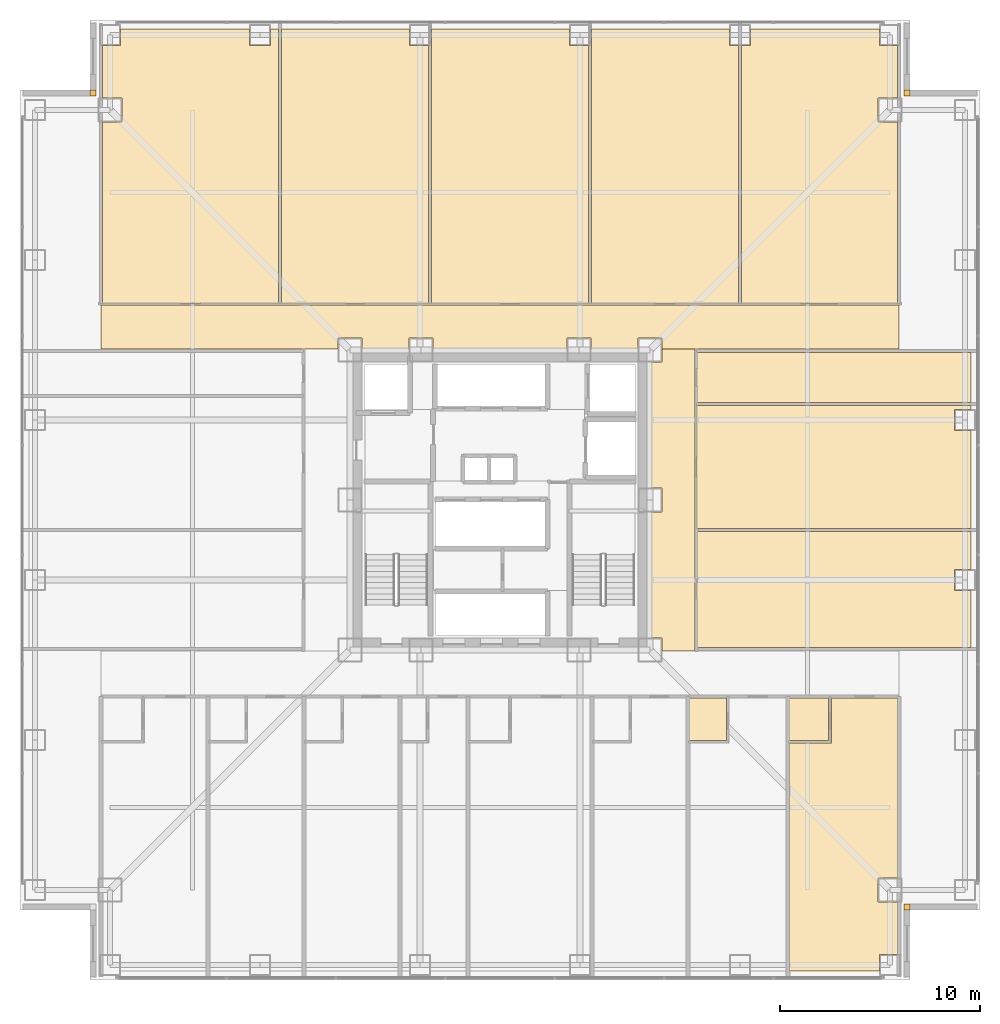
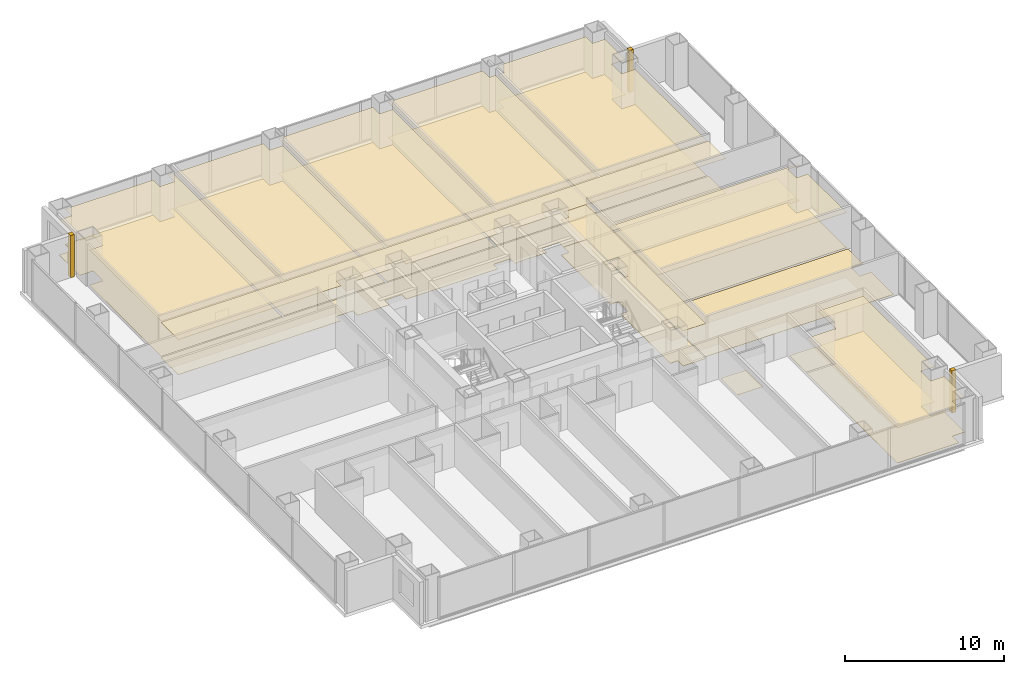
# One storey, part 20 of 20: 25 coverings.
"""IFC4 building model written with IfcOpenShell, lengths in metres."""

from ifc_helpers import new_model, si_unit, direction, frame, origin, place, context, subcontext, project, spatial, polyline, outline, extrude, material, layer, layer_set, type_object, element, save


model = new_model("IFC4")

# Units and contexts
model_context = context("Model", 3, precision=1e-05, world=origin(), true_north=direction((0.0, 1.0)))
body_context = subcontext(model_context, "Body", "Model", "MODEL_VIEW")
ifc_project = project(units=[si_unit("LENGTHUNIT", "METRE"), si_unit("AREAUNIT", "SQUARE_METRE"), si_unit("VOLUMEUNIT", "CUBIC_METRE"), si_unit("PLANEANGLEUNIT", "RADIAN"), si_unit("MASSUNIT", "GRAM", prefix="KILO")], contexts=[model_context])

# Site, building, storey
site_placement = place(None, origin())
site = spatial("IfcSite", under=ifc_project, at=site_placement, CompositionType="ELEMENT")
building_placement = place(site_placement, origin())
building = spatial("IfcBuilding", under=site, at=building_placement, Name="Trevonay Congress Spire", CompositionType="ELEMENT")
storey_placement = place(building_placement, frame((0.0, 0.0, 62.0)))
storey = spatial("IfcBuildingStorey", under=building, at=storey_placement, Name="L15", CompositionType="ELEMENT", Elevation=62.0)

# Coverings
ifc_material_1 = material(Name="Acoustic Mineral Fibre Board", Category="gypsum")
ifc_layer_1 = layer(ifc_material_1, 0.02490234375, Name="Acoustic Mineral Fibre Board")
ifc_layer_set_1 = layer_set([ifc_layer_1], Name="Acoustic Mineral Fibre Board")
covering_type_1 = type_object("IfcCoveringType", Name="COV-CEIL-ACOUSTIC", PredefinedType="CEILING", material=ifc_layer_set_1)
covering_1_placement = place(storey_placement, frame((0.0, 0.0, 2.699951171875)))
element("IfcCovering", 1, at=covering_1_placement, inside=storey, type_object=covering_type_1, Name="L15 Hotel Floor Corridor North acoustic suspended ceiling", PredefinedType="CEILING", context=body_context, shape_type="SweptSolid", body=[
    extrude(outline(polyline([(-19.949951171875, 7.550048828125), (-19.949951171875, 9.75), (19.949951171875, 9.75), (19.949951171875, 7.550048828125), (8.110107421875, 7.550048828125), (8.110107421875, 8.110107421875), (6.889892578125, 8.110107421875), (6.889892578125, 7.550048828125), (4.56005859375, 7.550048828125), (4.56005859375, 8.110107421875), (3.340087890625, 8.110107421875), (3.340087890625, 7.550048828125), (-3.340087890625, 7.550048828125), (-3.340087890625, 8.110107421875), (-4.56005859375, 8.110107421875), (-4.56005859375, 7.550048828125), (-6.889892578125, 7.550048828125), (-6.889892578125, 8.110107421875), (-8.110107421875, 8.110107421875), (-8.110107421875, 7.550048828125), (-19.949951171875, 7.550048828125)])), origin(), (0.0, 0.0, 1.0), 0.025146484375),
])
covering_2_placement = place(storey_placement, frame((0.0, 0.0, 2.699951171875)))
element("IfcCovering", 2, at=covering_2_placement, inside=storey, type_object=covering_type_1, Name="L15 Hotel Floor Corridor East acoustic suspended ceiling", PredefinedType="CEILING", context=body_context, shape_type="SweptSolid", body=[
    extrude(outline(polyline([(9.75, -7.550048828125), (8.110107421875, -7.550048828125), (8.110107421875, -6.889892578125), (7.550048828125, -6.889892578125), (7.550048828125, -0.610107421875), (8.110107421875, -0.610107421875), (8.110107421875, 0.610107421875), (7.550048828125, 0.610107421875), (7.550048828125, 6.889892578125), (8.110107421875, 6.889892578125), (8.110107421875, 7.550048828125), (9.75, 7.550048828125), (9.75, -7.550048828125)])), origin(), (0.0, 0.0, 1.0), 0.025146484375),
])
covering_3_placement = place(storey_placement, frame((0.0, 0.0, 2.699951171875)))
element("IfcCovering", 3, at=covering_3_placement, inside=storey, type_object=covering_type_1, Name="L15 Hotel Guest Room acoustic suspended ceiling", PredefinedType="CEILING", context=body_context, shape_type="SweptSolid", body=[
    extrude(outline(polyline([(14.47998046875, -23.550048828125), (14.47998046875, -12.139892578125), (16.570068359375, -12.139892578125), (16.570068359375, -9.909912109375), (19.8701171875, -9.909912109375), (19.8701171875, -18.889892578125), (18.889892578125, -18.889892578125), (18.889892578125, -20.110107421875), (19.8701171875, -20.110107421875), (19.8701171875, -22.715087890625), (18.965087890625, -22.715087890625), (18.965087890625, -23.550048828125), (14.47998046875, -23.550048828125)])), origin(), (0.0, 0.0, 1.0), 0.025146484375),
])
covering_4_placement = place(storey_placement, frame((0.0, 0.0, 2.699951171875)))
element("IfcCovering", 4, at=covering_4_placement, inside=storey, type_object=covering_type_1, Name="L15 Executive Club Co-Working Office 1 acoustic suspended ceiling", PredefinedType="CEILING", context=body_context, shape_type="SweptSolid", body=[
    extrude(outline(polyline([(-11.080078125, 23.550048828125), (-11.080078125, 9.830078125), (-19.8701171875, 9.830078125), (-19.8701171875, 18.889892578125), (-18.889892578125, 18.889892578125), (-18.889892578125, 20.110107421875), (-19.8701171875, 20.110107421875), (-19.8701171875, 22.715087890625), (-18.965087890625, 22.715087890625), (-18.965087890625, 23.550048828125), (-12.534912109375, 23.550048828125), (-12.534912109375, 22.715087890625), (-11.465087890625, 22.715087890625), (-11.465087890625, 23.550048828125), (-11.080078125, 23.550048828125)])), origin(), (0.0, 0.0, 1.0), 0.025146484375),
])
covering_5_placement = place(storey_placement, frame((0.0, 0.0, 2.699951171875)))
element("IfcCovering", 5, at=covering_5_placement, inside=storey, type_object=covering_type_1, Name="L15 Visiting Delegation Office 2 acoustic suspended ceiling", PredefinedType="CEILING", context=body_context, shape_type="SweptSolid", body=[
    extrude(outline(polyline([(-3.580078125, 9.830078125), (-10.919921875, 9.830078125), (-10.919921875, 23.550048828125), (-4.534912109375, 23.550048828125), (-4.534912109375, 22.715087890625), (-3.580078125, 22.715087890625), (-3.580078125, 9.830078125)])), origin(), (0.0, 0.0, 1.0), 0.025146484375),
])
covering_6_placement = place(storey_placement, frame((0.0, 0.0, 2.699951171875)))
element("IfcCovering", 6, at=covering_6_placement, inside=storey, type_object=covering_type_1, Name="L15 Diplomatic Secretariat Office 3 acoustic suspended ceiling", PredefinedType="CEILING", context=body_context, shape_type="SweptSolid", body=[
    extrude(outline(polyline([(4.419921875, 9.830078125), (-3.419921875, 9.830078125), (-3.419921875, 23.550048828125), (3.465087890625, 23.550048828125), (3.465087890625, 22.715087890625), (4.419921875, 22.715087890625), (4.419921875, 9.830078125)])), origin(), (0.0, 0.0, 1.0), 0.025146484375),
])
covering_7_placement = place(storey_placement, frame((0.0, 0.0, 2.699951171875)))
element("IfcCovering", 7, at=covering_7_placement, inside=storey, type_object=covering_type_1, Name="L15 Executive Boardroom North acoustic suspended ceiling", PredefinedType="CEILING", context=body_context, shape_type="SweptSolid", body=[
    extrude(outline(polyline([(11.919921875, 9.830078125), (4.580078125, 9.830078125), (4.580078125, 23.550048828125), (11.465087890625, 23.550048828125), (11.465087890625, 22.715087890625), (11.919921875, 22.715087890625), (11.919921875, 9.830078125)])), origin(), (0.0, 0.0, 1.0), 0.025146484375),
])
covering_8_placement = place(storey_placement, frame((0.0, 0.0, 2.699951171875)))
element("IfcCovering", 8, at=covering_8_placement, inside=storey, type_object=covering_type_1, Name="L15 Club Reading Library Lounge acoustic suspended ceiling", PredefinedType="CEILING", context=body_context, shape_type="SweptSolid", body=[
    extrude(outline(polyline([(19.8701171875, 9.830078125), (12.080078125, 9.830078125), (12.080078125, 22.715087890625), (12.534912109375, 22.715087890625), (12.534912109375, 23.550048828125), (18.965087890625, 23.550048828125), (18.965087890625, 22.715087890625), (19.8701171875, 22.715087890625), (19.8701171875, 20.110107421875), (18.889892578125, 20.110107421875), (18.889892578125, 18.889892578125), (19.8701171875, 18.889892578125), (19.8701171875, 9.830078125)])), origin(), (0.0, 0.0, 1.0), 0.025146484375),
])
covering_9_placement = place(storey_placement, frame((0.0, 0.0, 2.699951171875)))
element("IfcCovering", 9, at=covering_9_placement, inside=storey, type_object=covering_type_1, Name="L15 Club Pantry Kitchen acoustic suspended ceiling", PredefinedType="CEILING", context=body_context, shape_type="SweptSolid", body=[
    extrude(outline(polyline([(23.550048828125, -1.419921875), (9.830078125, -1.419921875), (9.830078125, 4.719970703125), (23.550048828125, 4.719970703125), (23.550048828125, 4.534912109375), (22.715087890625, 4.534912109375), (22.715087890625, 3.465087890625), (23.550048828125, 3.465087890625), (23.550048828125, -1.419921875)])), origin(), (0.0, 0.0, 1.0), 0.025146484375),
])
ifc_material_2 = material(Name="Polished Granite Floor Tile", Category="masonry")
ifc_layer_2 = layer(ifc_material_2, 0.02001953125, Name="Polished Granite Floor Tile")
ifc_layer_set_2 = layer_set([ifc_layer_2], Name="Polished Granite Floor Tile")
covering_type_2 = type_object("IfcCoveringType", Name="COV-FLOOR-STONE", PredefinedType="FLOORING", material=ifc_layer_set_2)
covering_10_placement = place(storey_placement, origin())
element("IfcCovering", 10, at=covering_10_placement, inside=storey, type_object=covering_type_2, Name="L15 Hotel Floor Corridor North floor finish", PredefinedType="FLOORING", context=body_context, shape_type="SweptSolid", body=[
    extrude(outline(polyline([(-19.949951171875, 7.550048828125), (-19.949951171875, 9.75), (19.949951171875, 9.75), (19.949951171875, 7.550048828125), (8.110107421875, 7.550048828125), (8.110107421875, 8.110107421875), (6.889892578125, 8.110107421875), (6.889892578125, 7.550048828125), (4.56005859375, 7.550048828125), (4.56005859375, 8.110107421875), (3.340087890625, 8.110107421875), (3.340087890625, 7.550048828125), (-3.340087890625, 7.550048828125), (-3.340087890625, 8.110107421875), (-4.56005859375, 8.110107421875), (-4.56005859375, 7.550048828125), (-6.889892578125, 7.550048828125), (-6.889892578125, 8.110107421875), (-8.110107421875, 8.110107421875), (-8.110107421875, 7.550048828125), (-19.949951171875, 7.550048828125)])), origin(), (0.0, 0.0, 1.0), 0.02001953125),
])
covering_11_placement = place(storey_placement, origin())
element("IfcCovering", 11, at=covering_11_placement, inside=storey, type_object=covering_type_2, Name="L15 Hotel Floor Corridor East floor finish", PredefinedType="FLOORING", context=body_context, shape_type="SweptSolid", body=[
    extrude(outline(polyline([(9.75, -7.550048828125), (8.110107421875, -7.550048828125), (8.110107421875, -6.889892578125), (7.550048828125, -6.889892578125), (7.550048828125, -0.610107421875), (8.110107421875, -0.610107421875), (8.110107421875, 0.610107421875), (7.550048828125, 0.610107421875), (7.550048828125, 6.889892578125), (8.110107421875, 6.889892578125), (8.110107421875, 7.550048828125), (9.75, 7.550048828125), (9.75, -7.550048828125)])), origin(), (0.0, 0.0, 1.0), 0.02001953125),
])
covering_12_placement = place(storey_placement, origin())
element("IfcCovering", 12, at=covering_12_placement, inside=storey, type_object=covering_type_2, Name="L15 En-suite Bathroom floor finish", PredefinedType="FLOORING", context=body_context, shape_type="SweptSolid", body=[
    extrude(outline(polyline([(9.47998046875, -12.02001953125), (11.319091796875, -12.02001953125), (11.319091796875, -9.909912109375), (9.47998046875, -9.909912109375), (9.47998046875, -12.02001953125)])), origin(), (0.0, 0.0, 1.0), 0.02001953125),
])
covering_13_placement = place(storey_placement, origin())
element("IfcCovering", 13, at=covering_13_placement, inside=storey, type_object=covering_type_2, Name="L15 En-suite Bathroom floor finish", PredefinedType="FLOORING", context=body_context, shape_type="SweptSolid", body=[
    extrude(outline(polyline([(14.47998046875, -12.02001953125), (16.429931640625, -12.02001953125), (16.429931640625, -9.909912109375), (14.47998046875, -9.909912109375), (14.47998046875, -12.02001953125)])), origin(), (0.0, 0.0, 1.0), 0.02001953125),
])
covering_14_placement = place(storey_placement, origin())
element("IfcCovering", 14, at=covering_14_placement, inside=storey, type_object=covering_type_2, Name="L15 Housekeeping and Linen Room floor finish", PredefinedType="FLOORING", context=body_context, shape_type="SweptSolid", body=[
    extrude(outline(polyline([(23.550048828125, -7.3701171875), (9.830078125, -7.3701171875), (9.830078125, -1.580078125), (23.550048828125, -1.580078125), (23.550048828125, -3.465087890625), (22.715087890625, -3.465087890625), (22.715087890625, -4.534912109375), (23.550048828125, -4.534912109375), (23.550048828125, -7.3701171875)])), origin(), (0.0, 0.0, 1.0), 0.02001953125),
])
covering_15_placement = place(storey_placement, origin())
element("IfcCovering", 15, at=covering_15_placement, inside=storey, type_object=covering_type_2, Name="L15 Club Pantry Kitchen floor finish", PredefinedType="FLOORING", context=body_context, shape_type="SweptSolid", body=[
    extrude(outline(polyline([(23.550048828125, -1.419921875), (9.830078125, -1.419921875), (9.830078125, 4.719970703125), (23.550048828125, 4.719970703125), (23.550048828125, 4.534912109375), (22.715087890625, 4.534912109375), (22.715087890625, 3.465087890625), (23.550048828125, 3.465087890625), (23.550048828125, -1.419921875)])), origin(), (0.0, 0.0, 1.0), 0.02001953125),
])
covering_16_placement = place(storey_placement, origin())
element("IfcCovering", 16, at=covering_16_placement, inside=storey, type_object=covering_type_2, Name="L15 Female Restroom WC floor finish", PredefinedType="FLOORING", context=body_context, shape_type="SweptSolid", body=[
    extrude(outline(polyline([(9.830078125, 4.8798828125), (23.550048828125, 4.8798828125), (23.550048828125, 7.3701171875), (9.830078125, 7.3701171875), (9.830078125, 4.8798828125)])), origin(), (0.0, 0.0, 1.0), 0.02001953125),
])
ifc_material_3 = material(Name="Engineered Oak Flooring", Category="wood")
ifc_layer_3 = layer(ifc_material_3, 0.01806640625, Name="Engineered Oak Flooring")
ifc_layer_set_3 = layer_set([ifc_layer_3], Name="Engineered Oak Flooring")
covering_type_3 = type_object("IfcCoveringType", Name="COV-FLOOR-TIMBER", PredefinedType="FLOORING", material=ifc_layer_set_3)
covering_17_placement = place(storey_placement, origin())
element("IfcCovering", 17, at=covering_17_placement, inside=storey, type_object=covering_type_3, Name="L15 Hotel Guest Room floor finish", PredefinedType="FLOORING", context=body_context, shape_type="SweptSolid", body=[
    extrude(outline(polyline([(14.47998046875, -23.550048828125), (14.47998046875, -12.139892578125), (16.570068359375, -12.139892578125), (16.570068359375, -9.909912109375), (19.8701171875, -9.909912109375), (19.8701171875, -18.889892578125), (18.889892578125, -18.889892578125), (18.889892578125, -20.110107421875), (19.8701171875, -20.110107421875), (19.8701171875, -22.715087890625), (18.965087890625, -22.715087890625), (18.965087890625, -23.550048828125), (14.47998046875, -23.550048828125)])), origin(), (0.0, 0.0, 1.0), 0.01806640625),
])
covering_18_placement = place(storey_placement, origin())
element("IfcCovering", 18, at=covering_18_placement, inside=storey, type_object=covering_type_3, Name="L15 Executive Club Co-Working Office 1 floor finish", PredefinedType="FLOORING", context=body_context, shape_type="SweptSolid", body=[
    extrude(outline(polyline([(-11.080078125, 23.550048828125), (-11.080078125, 9.830078125), (-19.8701171875, 9.830078125), (-19.8701171875, 18.889892578125), (-18.889892578125, 18.889892578125), (-18.889892578125, 20.110107421875), (-19.8701171875, 20.110107421875), (-19.8701171875, 22.715087890625), (-18.965087890625, 22.715087890625), (-18.965087890625, 23.550048828125), (-12.534912109375, 23.550048828125), (-12.534912109375, 22.715087890625), (-11.465087890625, 22.715087890625), (-11.465087890625, 23.550048828125), (-11.080078125, 23.550048828125)])), origin(), (0.0, 0.0, 1.0), 0.01806640625),
])
covering_19_placement = place(storey_placement, origin())
element("IfcCovering", 19, at=covering_19_placement, inside=storey, type_object=covering_type_3, Name="L15 Visiting Delegation Office 2 floor finish", PredefinedType="FLOORING", context=body_context, shape_type="SweptSolid", body=[
    extrude(outline(polyline([(-3.580078125, 9.830078125), (-10.919921875, 9.830078125), (-10.919921875, 23.550048828125), (-4.534912109375, 23.550048828125), (-4.534912109375, 22.715087890625), (-3.580078125, 22.715087890625), (-3.580078125, 9.830078125)])), origin(), (0.0, 0.0, 1.0), 0.01806640625),
])
covering_20_placement = place(storey_placement, origin())
element("IfcCovering", 20, at=covering_20_placement, inside=storey, type_object=covering_type_3, Name="L15 Diplomatic Secretariat Office 3 floor finish", PredefinedType="FLOORING", context=body_context, shape_type="SweptSolid", body=[
    extrude(outline(polyline([(4.419921875, 9.830078125), (-3.419921875, 9.830078125), (-3.419921875, 23.550048828125), (3.465087890625, 23.550048828125), (3.465087890625, 22.715087890625), (4.419921875, 22.715087890625), (4.419921875, 9.830078125)])), origin(), (0.0, 0.0, 1.0), 0.01806640625),
])
covering_21_placement = place(storey_placement, origin())
element("IfcCovering", 21, at=covering_21_placement, inside=storey, type_object=covering_type_3, Name="L15 Executive Boardroom North floor finish", PredefinedType="FLOORING", context=body_context, shape_type="SweptSolid", body=[
    extrude(outline(polyline([(11.919921875, 9.830078125), (4.580078125, 9.830078125), (4.580078125, 23.550048828125), (11.465087890625, 23.550048828125), (11.465087890625, 22.715087890625), (11.919921875, 22.715087890625), (11.919921875, 9.830078125)])), origin(), (0.0, 0.0, 1.0), 0.01806640625),
])
covering_22_placement = place(storey_placement, origin())
element("IfcCovering", 22, at=covering_22_placement, inside=storey, type_object=covering_type_3, Name="L15 Club Reading Library Lounge floor finish", PredefinedType="FLOORING", context=body_context, shape_type="SweptSolid", body=[
    extrude(outline(polyline([(19.8701171875, 9.830078125), (12.080078125, 9.830078125), (12.080078125, 22.715087890625), (12.534912109375, 22.715087890625), (12.534912109375, 23.550048828125), (18.965087890625, 23.550048828125), (18.965087890625, 22.715087890625), (19.8701171875, 22.715087890625), (19.8701171875, 20.110107421875), (18.889892578125, 20.110107421875), (18.889892578125, 18.889892578125), (19.8701171875, 18.889892578125), (19.8701171875, 9.830078125)])), origin(), (0.0, 0.0, 1.0), 0.01806640625),
])
ifc_material_4 = material(Name="Pale Anodised Aluminium EN AW-6063-T6", Category="aluminium")
ifc_layer_4 = layer(ifc_material_4, 0.0400390625, Name="Pale Anodised Aluminium EN AW-6063-T6")
ifc_layer_set_4 = layer_set([ifc_layer_4], Name="Pale Anodised Aluminium EN AW-6063-T6")
covering_type_4 = type_object("IfcCoveringType", Name="COV-SPANDREL-PALE-METAL", PredefinedType="CLADDING", material=ifc_layer_set_4)
covering_23_placement = place(storey_placement, origin())
element("IfcCovering", 23, at=covering_23_placement, inside=storey, type_object=covering_type_4, Name="L15 SE re-entrant notch corner closure trim", PredefinedType="CLADDING", context=body_context, shape_type="SweptSolid", body=[
    extrude(outline(polyline([(20.199951171875, -20.5), (20.5, -20.5), (20.5, -20.199951171875), (20.199951171875, -20.199951171875), (20.199951171875, -20.5)])), origin(), (0.0, 0.0, 1.0), 3.25),
])
covering_24_placement = place(storey_placement, origin())
element("IfcCovering", 24, at=covering_24_placement, inside=storey, type_object=covering_type_4, Name="L15 NE re-entrant notch corner closure trim", PredefinedType="CLADDING", context=body_context, shape_type="SweptSolid", body=[
    extrude(outline(polyline([(20.199951171875, 20.199951171875), (20.5, 20.199951171875), (20.5, 20.5), (20.199951171875, 20.5), (20.199951171875, 20.199951171875)])), origin(), (0.0, 0.0, 1.0), 3.25),
])
covering_25_placement = place(storey_placement, origin())
element("IfcCovering", 25, at=covering_25_placement, inside=storey, type_object=covering_type_4, Name="L15 NW re-entrant notch corner closure trim", PredefinedType="CLADDING", context=body_context, shape_type="SweptSolid", body=[
    extrude(outline(polyline([(-20.5, 20.199951171875), (-20.199951171875, 20.199951171875), (-20.199951171875, 20.5), (-20.5, 20.5), (-20.5, 20.199951171875)])), origin(), (0.0, 0.0, 1.0), 3.25),
])

save(model, "model.ifc")
